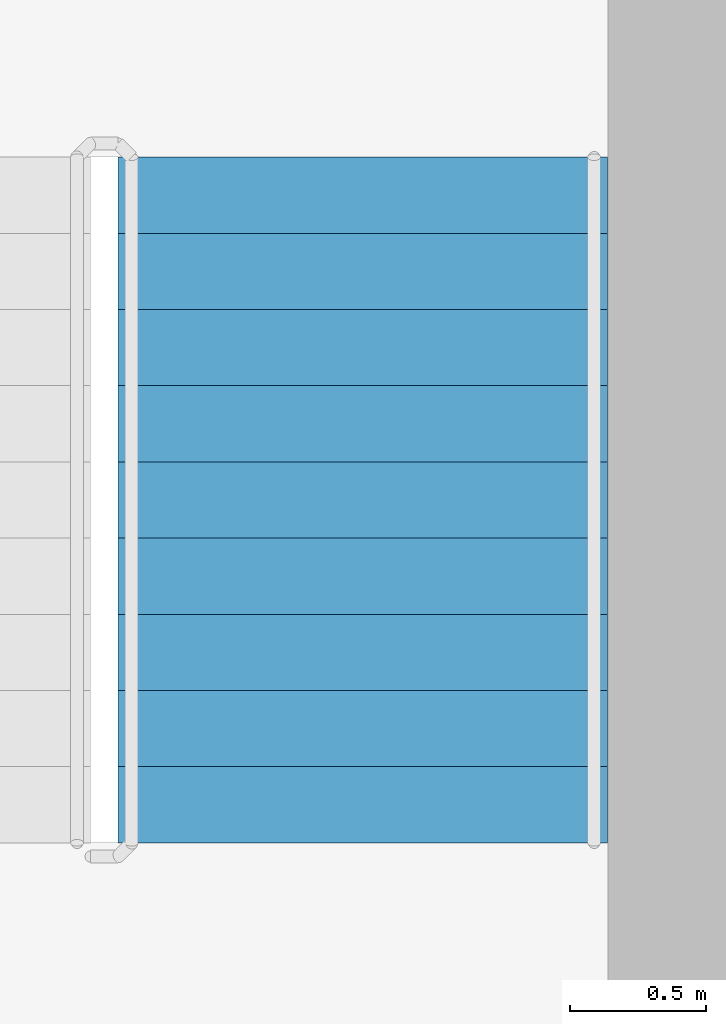
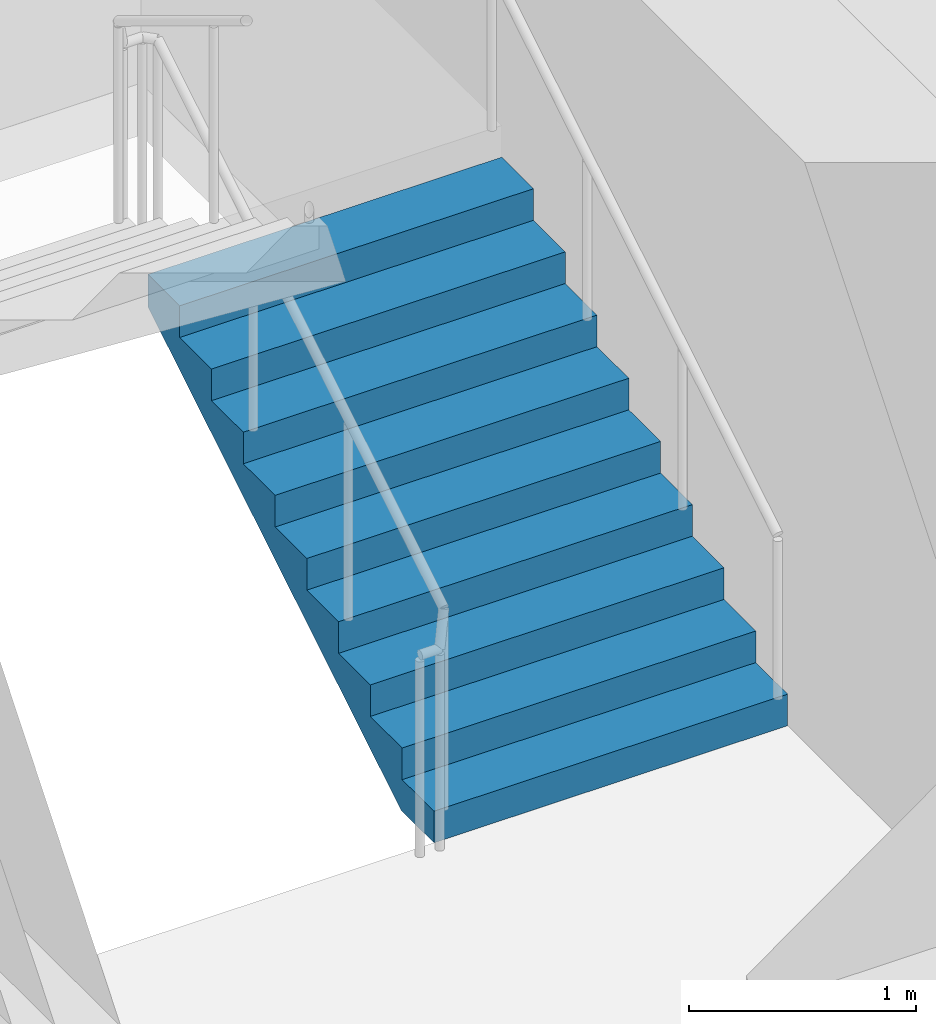
# One storey, part 11 of 19: 1 stair flight, 1 element without a shape of its own.
"""IFC4 building model written with IfcOpenShell, lengths in metres."""

from ifc_helpers import new_model, si_unit, direction, frame, origin, place, context, subcontext, project, spatial, triangles, source, transform, mapped, material, type_object, element, aggregate, save


model = new_model("IFC4")

# Units and contexts
model_context = context("Model", 3, precision=1e-05, world=origin(), true_north=direction((0.0, 1.0)))
body_context = subcontext(model_context, "Body", "Model", "MODEL_VIEW")
ifc_project = project(units=[si_unit("LENGTHUNIT", "METRE"), si_unit("AREAUNIT", "SQUARE_METRE"), si_unit("VOLUMEUNIT", "CUBIC_METRE"), si_unit("PLANEANGLEUNIT", "RADIAN"), si_unit("MASSUNIT", "GRAM", prefix="KILO")], contexts=[model_context])

# Site, building, storey
site_placement = place(None, origin())
site = spatial("IfcSite", under=ifc_project, at=site_placement, CompositionType="ELEMENT")
building_placement = place(site_placement, origin())
building = spatial("IfcBuilding", under=site, at=building_placement, Name="Kilnfold Tower and Market Hall", CompositionType="ELEMENT")
storey_placement = place(building_placement, frame((0.0, 0.0, 245.800048828125)))
storey = spatial("IfcBuildingStorey", under=building, at=storey_placement, Name="L59", CompositionType="ELEMENT", Elevation=245.800048828125)

# Stair, stair flight
ifc_material_1 = material(Name="Concrete C40/50", Category="concrete")
stair_type = type_object("IfcStairType", Name="CORE STAIR 1800", PredefinedType="HALF_TURN_STAIR", material=ifc_material_1)
stair_placement = place(storey_placement, origin())
stair = element("IfcStair", 1, at=stair_placement, inside=storey, type_object=stair_type, Name="L59 ST2", PredefinedType="HALF_TURN_STAIR")
ifc_material_2 = material(Name="Concrete C40/50", Category="concrete")
stair_flight_type = type_object("IfcStairFlightType", Name="CORE STAIR FLIGHT 1800", PredefinedType="STRAIGHT", material=ifc_material_2)
shared_shape = source(origin(), body_context, "Body", "Tessellation", [
    triangles([(0.0, 0.89990234375, 0.0), (0.0, 0.78759765625, 0.0), (0.0, 0.675048828125, 0.0), (0.0, 0.5625, 0.0), (0.0, 0.449951171875, 0.0), (0.0, 0.33740234375, 0.0), (0.0, 0.22509765625, 0.0), (0.0, 0.112548828125, 0.0), (0.0, 0.0, 0.0), (0.0, -0.112548828125, 0.0), (0.0, -0.22509765625, 0.0), (0.0, -0.33740234375, 0.0), (0.0, -0.449951171875, 0.0), (0.0, -0.5625, 0.0), (0.0, -0.675048828125, 0.0), (0.0, -0.78759765625, 0.0), (0.0, -0.89990234375, 0.0), (0.0, 0.89990234375, 0.169921875), (0.0, 0.78759765625, 0.169921875), (0.0, 0.675048828125, 0.169921875), (0.0, 0.5625, 0.169921875), (0.0, 0.449951171875, 0.169921875), (0.0, 0.33740234375, 0.169921875), (0.0, 0.22509765625, 0.169921875), (0.0, 0.112548828125, 0.169921875), (0.0, 0.0, 0.169921875), (0.0, -0.112548828125, 0.169921875), (0.0, -0.22509765625, 0.169921875), (0.0, -0.33740234375, 0.169921875), (0.0, -0.449951171875, 0.169921875), (0.0, -0.5625, 0.169921875), (0.0, -0.675048828125, 0.169921875), (0.0, -0.78759765625, 0.169921875), (0.0, -0.89990234375, 0.169921875), (0.280029296875, 0.89990234375, 0.169921875), (0.280029296875, 0.78759765625, 0.169921875), (0.280029296875, 0.675048828125, 0.169921875), (0.280029296875, 0.5625, 0.169921875), (0.280029296875, 0.449951171875, 0.169921875), (0.280029296875, 0.33740234375, 0.169921875), (0.280029296875, 0.22509765625, 0.169921875), (0.280029296875, 0.112548828125, 0.169921875), (0.280029296875, 0.0, 0.169921875), (0.280029296875, -0.112548828125, 0.169921875), (0.280029296875, -0.22509765625, 0.169921875), (0.280029296875, -0.33740234375, 0.169921875), (0.280029296875, -0.449951171875, 0.169921875), (0.280029296875, -0.5625, 0.169921875), (0.280029296875, -0.675048828125, 0.169921875), (0.280029296875, -0.78759765625, 0.169921875), (0.280029296875, -0.89990234375, 0.169921875), (0.280029296875, 0.89990234375, 0.340087890625), (0.280029296875, 0.78759765625, 0.340087890625), (0.280029296875, 0.675048828125, 0.340087890625), (0.280029296875, 0.5625, 0.340087890625), (0.280029296875, 0.449951171875, 0.340087890625), (0.280029296875, 0.33740234375, 0.340087890625), (0.280029296875, 0.22509765625, 0.340087890625), (0.280029296875, 0.112548828125, 0.340087890625), (0.280029296875, 0.0, 0.340087890625), (0.280029296875, -0.112548828125, 0.340087890625), (0.280029296875, -0.22509765625, 0.340087890625), (0.280029296875, -0.33740234375, 0.340087890625), (0.280029296875, -0.449951171875, 0.340087890625), (0.280029296875, -0.5625, 0.340087890625), (0.280029296875, -0.675048828125, 0.340087890625), (0.280029296875, -0.78759765625, 0.340087890625), (0.280029296875, -0.89990234375, 0.340087890625), (0.56005859375, 0.89990234375, 0.340087890625), (0.56005859375, 0.78759765625, 0.340087890625), (0.56005859375, 0.675048828125, 0.340087890625), (0.56005859375, 0.5625, 0.340087890625), (0.56005859375, 0.449951171875, 0.340087890625), (0.56005859375, 0.33740234375, 0.340087890625), (0.56005859375, 0.22509765625, 0.340087890625), (0.56005859375, 0.112548828125, 0.340087890625), (0.56005859375, 0.0, 0.340087890625), (0.56005859375, -0.112548828125, 0.340087890625), (0.56005859375, -0.22509765625, 0.340087890625), (0.56005859375, -0.33740234375, 0.340087890625), (0.56005859375, -0.449951171875, 0.340087890625), (0.56005859375, -0.5625, 0.340087890625), (0.56005859375, -0.675048828125, 0.340087890625), (0.56005859375, -0.78759765625, 0.340087890625), (0.56005859375, -0.89990234375, 0.340087890625), (0.56005859375, 0.89990234375, 0.510009765625), (0.56005859375, 0.78759765625, 0.510009765625), (0.56005859375, 0.675048828125, 0.510009765625), (0.56005859375, 0.5625, 0.510009765625), (0.56005859375, 0.449951171875, 0.510009765625), (0.56005859375, 0.33740234375, 0.510009765625), (0.56005859375, 0.22509765625, 0.510009765625), (0.56005859375, 0.112548828125, 0.510009765625), (0.56005859375, 0.0, 0.510009765625), (0.56005859375, -0.112548828125, 0.510009765625), (0.56005859375, -0.22509765625, 0.510009765625), (0.56005859375, -0.33740234375, 0.510009765625), (0.56005859375, -0.449951171875, 0.510009765625), (0.56005859375, -0.5625, 0.510009765625), (0.56005859375, -0.675048828125, 0.510009765625), (0.56005859375, -0.78759765625, 0.510009765625), (0.56005859375, -0.89990234375, 0.510009765625), (0.840087890625, 0.89990234375, 0.510009765625), (0.840087890625, 0.78759765625, 0.510009765625), (0.840087890625, 0.675048828125, 0.510009765625), (0.840087890625, 0.5625, 0.510009765625), (0.840087890625, 0.449951171875, 0.510009765625), (0.840087890625, 0.33740234375, 0.510009765625), (0.840087890625, 0.22509765625, 0.510009765625), (0.840087890625, 0.112548828125, 0.510009765625), (0.840087890625, 0.0, 0.510009765625), (0.840087890625, -0.112548828125, 0.510009765625), (0.840087890625, -0.22509765625, 0.510009765625), (0.840087890625, -0.33740234375, 0.510009765625), (0.840087890625, -0.449951171875, 0.510009765625), (0.840087890625, -0.5625, 0.510009765625), (0.840087890625, -0.675048828125, 0.510009765625), (0.840087890625, -0.78759765625, 0.510009765625), (0.840087890625, -0.89990234375, 0.510009765625), (0.840087890625, 0.89990234375, 0.679931640625), (0.840087890625, 0.78759765625, 0.679931640625), (0.840087890625, 0.675048828125, 0.679931640625), (0.840087890625, 0.5625, 0.679931640625), (0.840087890625, 0.449951171875, 0.679931640625), (0.840087890625, 0.33740234375, 0.679931640625), (0.840087890625, 0.22509765625, 0.679931640625), (0.840087890625, 0.112548828125, 0.679931640625), (0.840087890625, 0.0, 0.679931640625), (0.840087890625, -0.112548828125, 0.679931640625), (0.840087890625, -0.22509765625, 0.679931640625), (0.840087890625, -0.33740234375, 0.679931640625), (0.840087890625, -0.449951171875, 0.679931640625), (0.840087890625, -0.5625, 0.679931640625), (0.840087890625, -0.675048828125, 0.679931640625), (0.840087890625, -0.78759765625, 0.679931640625), (0.840087890625, -0.89990234375, 0.679931640625), (1.1201171875, 0.89990234375, 0.679931640625), (1.1201171875, 0.78759765625, 0.679931640625), (1.1201171875, 0.675048828125, 0.679931640625), (1.1201171875, 0.5625, 0.679931640625), (1.1201171875, 0.449951171875, 0.679931640625), (1.1201171875, 0.33740234375, 0.679931640625), (1.1201171875, 0.22509765625, 0.679931640625), (1.1201171875, 0.112548828125, 0.679931640625), (1.1201171875, 0.0, 0.679931640625), (1.1201171875, -0.112548828125, 0.679931640625), (1.1201171875, -0.22509765625, 0.679931640625), (1.1201171875, -0.33740234375, 0.679931640625), (1.1201171875, -0.449951171875, 0.679931640625), (1.1201171875, -0.5625, 0.679931640625), (1.1201171875, -0.675048828125, 0.679931640625), (1.1201171875, -0.78759765625, 0.679931640625), (1.1201171875, -0.89990234375, 0.679931640625), (1.1201171875, 0.89990234375, 0.85009765625), (1.1201171875, 0.78759765625, 0.85009765625), (1.1201171875, 0.675048828125, 0.85009765625), (1.1201171875, 0.5625, 0.85009765625), (1.1201171875, 0.449951171875, 0.85009765625), (1.1201171875, 0.33740234375, 0.85009765625), (1.1201171875, 0.22509765625, 0.85009765625), (1.1201171875, 0.112548828125, 0.85009765625), (1.1201171875, 0.0, 0.85009765625), (1.1201171875, -0.112548828125, 0.85009765625), (1.1201171875, -0.22509765625, 0.85009765625), (1.1201171875, -0.33740234375, 0.85009765625), (1.1201171875, -0.449951171875, 0.85009765625), (1.1201171875, -0.5625, 0.85009765625), (1.1201171875, -0.675048828125, 0.85009765625), (1.1201171875, -0.78759765625, 0.85009765625), (1.1201171875, -0.89990234375, 0.85009765625), (1.39990234375, 0.89990234375, 0.85009765625), (1.39990234375, 0.78759765625, 0.85009765625), (1.39990234375, 0.675048828125, 0.85009765625), (1.39990234375, 0.5625, 0.85009765625), (1.39990234375, 0.449951171875, 0.85009765625), (1.39990234375, 0.33740234375, 0.85009765625), (1.39990234375, 0.22509765625, 0.85009765625), (1.39990234375, 0.112548828125, 0.85009765625), (1.39990234375, 0.0, 0.85009765625), (1.39990234375, -0.112548828125, 0.85009765625), (1.39990234375, -0.22509765625, 0.85009765625), (1.39990234375, -0.33740234375, 0.85009765625), (1.39990234375, -0.449951171875, 0.85009765625), (1.39990234375, -0.5625, 0.85009765625), (1.39990234375, -0.675048828125, 0.85009765625), (1.39990234375, -0.78759765625, 0.85009765625), (1.39990234375, -0.89990234375, 0.85009765625), (1.39990234375, 0.89990234375, 1.02001953125), (1.39990234375, 0.78759765625, 1.02001953125), (1.39990234375, 0.675048828125, 1.02001953125), (1.39990234375, 0.5625, 1.02001953125), (1.39990234375, 0.449951171875, 1.02001953125), (1.39990234375, 0.33740234375, 1.02001953125), (1.39990234375, 0.22509765625, 1.02001953125), (1.39990234375, 0.112548828125, 1.02001953125), (1.39990234375, 0.0, 1.02001953125), (1.39990234375, -0.112548828125, 1.02001953125), (1.39990234375, -0.22509765625, 1.02001953125), (1.39990234375, -0.33740234375, 1.02001953125), (1.39990234375, -0.449951171875, 1.02001953125), (1.39990234375, -0.5625, 1.02001953125), (1.39990234375, -0.675048828125, 1.02001953125), (1.39990234375, -0.78759765625, 1.02001953125), (1.39990234375, -0.89990234375, 1.02001953125), (1.679931640625, 0.89990234375, 1.02001953125), (1.679931640625, 0.78759765625, 1.02001953125), (1.679931640625, 0.675048828125, 1.02001953125), (1.679931640625, 0.5625, 1.02001953125), (1.679931640625, 0.449951171875, 1.02001953125), (1.679931640625, 0.33740234375, 1.02001953125), (1.679931640625, 0.22509765625, 1.02001953125), (1.679931640625, 0.112548828125, 1.02001953125), (1.679931640625, 0.0, 1.02001953125), (1.679931640625, -0.112548828125, 1.02001953125), (1.679931640625, -0.22509765625, 1.02001953125), (1.679931640625, -0.33740234375, 1.02001953125), (1.679931640625, -0.449951171875, 1.02001953125), (1.679931640625, -0.5625, 1.02001953125), (1.679931640625, -0.675048828125, 1.02001953125), (1.679931640625, -0.78759765625, 1.02001953125), (1.679931640625, -0.89990234375, 1.02001953125), (1.679931640625, 0.89990234375, 1.18994140625), (1.679931640625, 0.78759765625, 1.18994140625), (1.679931640625, 0.675048828125, 1.18994140625), (1.679931640625, 0.5625, 1.18994140625), (1.679931640625, 0.449951171875, 1.18994140625), (1.679931640625, 0.33740234375, 1.18994140625), (1.679931640625, 0.22509765625, 1.18994140625), (1.679931640625, 0.112548828125, 1.18994140625), (1.679931640625, 0.0, 1.18994140625), (1.679931640625, -0.112548828125, 1.18994140625), (1.679931640625, -0.22509765625, 1.18994140625), (1.679931640625, -0.33740234375, 1.18994140625), (1.679931640625, -0.449951171875, 1.18994140625), (1.679931640625, -0.5625, 1.18994140625), (1.679931640625, -0.675048828125, 1.18994140625), (1.679931640625, -0.78759765625, 1.18994140625), (1.679931640625, -0.89990234375, 1.18994140625), (1.9599609375, 0.89990234375, 1.18994140625), (1.9599609375, 0.78759765625, 1.18994140625), (1.9599609375, 0.675048828125, 1.18994140625), (1.9599609375, 0.5625, 1.18994140625), (1.9599609375, 0.449951171875, 1.18994140625), (1.9599609375, 0.33740234375, 1.18994140625), (1.9599609375, 0.22509765625, 1.18994140625), (1.9599609375, 0.112548828125, 1.18994140625), (1.9599609375, 0.0, 1.18994140625), (1.9599609375, -0.112548828125, 1.18994140625), (1.9599609375, -0.22509765625, 1.18994140625), (1.9599609375, -0.33740234375, 1.18994140625), (1.9599609375, -0.449951171875, 1.18994140625), (1.9599609375, -0.5625, 1.18994140625), (1.9599609375, -0.675048828125, 1.18994140625), (1.9599609375, -0.78759765625, 1.18994140625), (1.9599609375, -0.89990234375, 1.18994140625), (1.9599609375, 0.89990234375, 1.360107421875), (1.9599609375, 0.78759765625, 1.360107421875), (1.9599609375, 0.675048828125, 1.360107421875), (1.9599609375, 0.5625, 1.360107421875), (1.9599609375, 0.449951171875, 1.360107421875), (1.9599609375, 0.33740234375, 1.360107421875), (1.9599609375, 0.22509765625, 1.360107421875), (1.9599609375, 0.112548828125, 1.360107421875), (1.9599609375, 0.0, 1.360107421875), (1.9599609375, -0.112548828125, 1.360107421875), (1.9599609375, -0.22509765625, 1.360107421875), (1.9599609375, -0.33740234375, 1.360107421875), (1.9599609375, -0.449951171875, 1.360107421875), (1.9599609375, -0.5625, 1.360107421875), (1.9599609375, -0.675048828125, 1.360107421875), (1.9599609375, -0.78759765625, 1.360107421875), (1.9599609375, -0.89990234375, 1.360107421875), (2.239990234375, 0.89990234375, 1.360107421875), (2.239990234375, 0.78759765625, 1.360107421875), (2.239990234375, 0.675048828125, 1.360107421875), (2.239990234375, 0.5625, 1.360107421875), (2.239990234375, 0.449951171875, 1.360107421875), (2.239990234375, 0.33740234375, 1.360107421875), (2.239990234375, 0.22509765625, 1.360107421875), (2.239990234375, 0.112548828125, 1.360107421875), (2.239990234375, 0.0, 1.360107421875), (2.239990234375, -0.112548828125, 1.360107421875), (2.239990234375, -0.22509765625, 1.360107421875), (2.239990234375, -0.33740234375, 1.360107421875), (2.239990234375, -0.449951171875, 1.360107421875), (2.239990234375, -0.5625, 1.360107421875), (2.239990234375, -0.675048828125, 1.360107421875), (2.239990234375, -0.78759765625, 1.360107421875), (2.239990234375, -0.89990234375, 1.360107421875), (2.239990234375, 0.89990234375, 1.530029296875), (2.239990234375, 0.78759765625, 1.530029296875), (2.239990234375, 0.675048828125, 1.530029296875), (2.239990234375, 0.5625, 1.530029296875), (2.239990234375, 0.449951171875, 1.530029296875), (2.239990234375, 0.33740234375, 1.530029296875), (2.239990234375, 0.22509765625, 1.530029296875), (2.239990234375, 0.112548828125, 1.530029296875), (2.239990234375, 0.0, 1.530029296875), (2.239990234375, -0.112548828125, 1.530029296875), (2.239990234375, -0.22509765625, 1.530029296875), (2.239990234375, -0.33740234375, 1.530029296875), (2.239990234375, -0.449951171875, 1.530029296875), (2.239990234375, -0.5625, 1.530029296875), (2.239990234375, -0.675048828125, 1.530029296875), (2.239990234375, -0.78759765625, 1.530029296875), (2.239990234375, -0.89990234375, 1.530029296875), (2.52001953125, 0.89990234375, 1.530029296875), (2.52001953125, 0.78759765625, 1.530029296875), (2.52001953125, 0.675048828125, 1.530029296875), (2.52001953125, 0.5625, 1.530029296875), (2.52001953125, 0.449951171875, 1.530029296875), (2.52001953125, 0.33740234375, 1.530029296875), (2.52001953125, 0.22509765625, 1.530029296875), (2.52001953125, 0.112548828125, 1.530029296875), (2.52001953125, 0.0, 1.530029296875), (2.52001953125, -0.112548828125, 1.530029296875), (2.52001953125, -0.22509765625, 1.530029296875), (2.52001953125, -0.33740234375, 1.530029296875), (2.52001953125, -0.449951171875, 1.530029296875), (2.52001953125, -0.5625, 1.530029296875), (2.52001953125, -0.675048828125, 1.530029296875), (2.52001953125, -0.78759765625, 1.530029296875), (2.52001953125, -0.89990234375, 1.530029296875), (2.52001953125, 0.89990234375, 1.354736328125), (2.52001953125, 0.78759765625, 1.354736328125), (2.52001953125, 0.675048828125, 1.354736328125), (2.52001953125, 0.5625, 1.354736328125), (2.52001953125, 0.449951171875, 1.354736328125), (2.52001953125, 0.33740234375, 1.354736328125), (2.52001953125, 0.22509765625, 1.354736328125), (2.52001953125, 0.112548828125, 1.354736328125), (2.52001953125, 0.0, 1.354736328125), (2.52001953125, -0.112548828125, 1.354736328125), (2.52001953125, -0.22509765625, 1.354736328125), (2.52001953125, -0.33740234375, 1.354736328125), (2.52001953125, -0.449951171875, 1.354736328125), (2.52001953125, -0.5625, 1.354736328125), (2.52001953125, -0.675048828125, 1.354736328125), (2.52001953125, -0.78759765625, 1.354736328125), (2.52001953125, -0.89990234375, 1.354736328125), (0.288818359375, 0.89990234375, 0.0), (0.288818359375, 0.78759765625, 0.0), (0.288818359375, 0.675048828125, 0.0), (0.288818359375, 0.5625, 0.0), (0.288818359375, 0.449951171875, 0.0), (0.288818359375, 0.33740234375, 0.0), (0.288818359375, 0.22509765625, 0.0), (0.288818359375, 0.112548828125, 0.0), (0.288818359375, 0.0, 0.0), (0.288818359375, -0.112548828125, 0.0), (0.288818359375, -0.22509765625, 0.0), (0.288818359375, -0.33740234375, 0.0), (0.288818359375, -0.449951171875, 0.0), (0.288818359375, -0.5625, 0.0), (0.288818359375, -0.675048828125, 0.0), (0.288818359375, -0.78759765625, 0.0), (0.288818359375, -0.89990234375, 0.0)], [[1, 324, 341], [17, 357, 340], [324, 290, 307], [340, 323, 306], [324, 273, 290], [340, 306, 289], [324, 256, 273], [340, 289, 272], [324, 239, 256], [340, 272, 255], [239, 205, 222], [255, 238, 221], [324, 205, 239], [340, 255, 221], [205, 171, 188], [221, 204, 187], [324, 171, 205], [340, 221, 187], [171, 137, 154], [187, 170, 153], [324, 137, 171], [340, 187, 153], [137, 103, 120], [153, 136, 119], [324, 103, 137], [340, 153, 119], [103, 69, 86], [119, 102, 85], [324, 69, 103], [340, 119, 85], [69, 35, 52], [85, 68, 51], [324, 35, 69], [340, 85, 51], [1, 35, 324], [17, 340, 51], [35, 1, 18], [51, 34, 17], [1, 19, 18], [1, 2, 19], [2, 20, 19], [2, 3, 20], [3, 21, 20], [3, 4, 21], [4, 22, 21], [4, 5, 22], [5, 23, 22], [5, 6, 23], [6, 24, 23], [6, 7, 24], [7, 25, 24], [7, 8, 25], [8, 26, 25], [8, 9, 26], [9, 27, 26], [9, 10, 27], [10, 28, 27], [10, 11, 28], [11, 29, 28], [11, 12, 29], [12, 30, 29], [12, 13, 30], [13, 31, 30], [13, 14, 31], [14, 32, 31], [14, 15, 32], [15, 33, 32], [15, 16, 33], [16, 34, 33], [16, 17, 34], [18, 36, 35], [18, 19, 36], [19, 37, 36], [19, 20, 37], [20, 38, 37], [20, 21, 38], [21, 39, 38], [21, 22, 39], [22, 40, 39], [22, 23, 40], [23, 41, 40], [23, 24, 41], [24, 42, 41], [24, 25, 42], [25, 43, 42], [25, 26, 43], [26, 44, 43], [26, 27, 44], [27, 45, 44], [27, 28, 45], [28, 46, 45], [28, 29, 46], [29, 47, 46], [29, 30, 47], [30, 48, 47], [30, 31, 48], [31, 49, 48], [31, 32, 49], [32, 50, 49], [32, 33, 50], [33, 51, 50], [33, 34, 51], [35, 53, 52], [35, 36, 53], [36, 54, 53], [36, 37, 54], [37, 55, 54], [37, 38, 55], [38, 56, 55], [38, 39, 56], [39, 57, 56], [39, 40, 57], [40, 58, 57], [40, 41, 58], [41, 59, 58], [41, 42, 59], [42, 60, 59], [42, 43, 60], [43, 61, 60], [43, 44, 61], [44, 62, 61], [44, 45, 62], [45, 63, 62], [45, 46, 63], [46, 64, 63], [46, 47, 64], [47, 65, 64], [47, 48, 65], [48, 66, 65], [48, 49, 66], [49, 67, 66], [49, 50, 67], [50, 68, 67], [50, 51, 68], [52, 70, 69], [52, 53, 70], [53, 71, 70], [53, 54, 71], [54, 72, 71], [54, 55, 72], [55, 73, 72], [55, 56, 73], [56, 74, 73], [56, 57, 74], [57, 75, 74], [57, 58, 75], [58, 76, 75], [58, 59, 76], [59, 77, 76], [59, 60, 77], [60, 78, 77], [60, 61, 78], [61, 79, 78], [61, 62, 79], [62, 80, 79], [62, 63, 80], [63, 81, 80], [63, 64, 81], [64, 82, 81], [64, 65, 82], [65, 83, 82], [65, 66, 83], [66, 84, 83], [66, 67, 84], [67, 85, 84], [67, 68, 85], [69, 87, 86], [69, 70, 87], [70, 88, 87], [70, 71, 88], [71, 89, 88], [71, 72, 89], [72, 90, 89], [72, 73, 90], [73, 91, 90], [73, 74, 91], [74, 92, 91], [74, 75, 92], [75, 93, 92], [75, 76, 93], [76, 94, 93], [76, 77, 94], [77, 95, 94], [77, 78, 95], [78, 96, 95], [78, 79, 96], [79, 97, 96], [79, 80, 97], [80, 98, 97], [80, 81, 98], [81, 99, 98], [81, 82, 99], [82, 100, 99], [82, 83, 100], [83, 101, 100], [83, 84, 101], [84, 102, 101], [84, 85, 102], [86, 104, 103], [86, 87, 104], [87, 105, 104], [87, 88, 105], [88, 106, 105], [88, 89, 106], [89, 107, 106], [89, 90, 107], [90, 108, 107], [90, 91, 108], [91, 109, 108], [91, 92, 109], [92, 110, 109], [92, 93, 110], [93, 111, 110], [93, 94, 111], [94, 112, 111], [94, 95, 112], [95, 113, 112], [95, 96, 113], [96, 114, 113], [96, 97, 114], [97, 115, 114], [97, 98, 115], [98, 116, 115], [98, 99, 116], [99, 117, 116], [99, 100, 117], [100, 118, 117], [100, 101, 118], [101, 119, 118], [101, 102, 119], [103, 121, 120], [103, 104, 121], [104, 122, 121], [104, 105, 122], [105, 123, 122], [105, 106, 123], [106, 124, 123], [106, 107, 124], [107, 125, 124], [107, 108, 125], [108, 126, 125], [108, 109, 126], [109, 127, 126], [109, 110, 127], [110, 128, 127], [110, 111, 128], [111, 129, 128], [111, 112, 129], [112, 130, 129], [112, 113, 130], [113, 131, 130], [113, 114, 131], [114, 132, 131], [114, 115, 132], [115, 133, 132], [115, 116, 133], [116, 134, 133], [116, 117, 134], [117, 135, 134], [117, 118, 135], [118, 136, 135], [118, 119, 136], [120, 138, 137], [120, 121, 138], [121, 139, 138], [121, 122, 139], [122, 140, 139], [122, 123, 140], [123, 141, 140], [123, 124, 141], [124, 142, 141], [124, 125, 142], [125, 143, 142], [125, 126, 143], [126, 144, 143], [126, 127, 144], [127, 145, 144], [127, 128, 145], [128, 146, 145], [128, 129, 146], [129, 147, 146], [129, 130, 147], [130, 148, 147], [130, 131, 148], [131, 149, 148], [131, 132, 149], [132, 150, 149], [132, 133, 150], [133, 151, 150], [133, 134, 151], [134, 152, 151], [134, 135, 152], [135, 153, 152], [135, 136, 153], [137, 155, 154], [137, 138, 155], [138, 156, 155], [138, 139, 156], [139, 157, 156], [139, 140, 157], [140, 158, 157], [140, 141, 158], [141, 159, 158], [141, 142, 159], [142, 160, 159], [142, 143, 160], [143, 161, 160], [143, 144, 161], [144, 162, 161], [144, 145, 162], [145, 163, 162], [145, 146, 163], [146, 164, 163], [146, 147, 164], [147, 165, 164], [147, 148, 165], [148, 166, 165], [148, 149, 166], [149, 167, 166], [149, 150, 167], [150, 168, 167], [150, 151, 168], [151, 169, 168], [151, 152, 169], [152, 170, 169], [152, 153, 170], [154, 172, 171], [154, 155, 172], [155, 173, 172], [155, 156, 173], [156, 174, 173], [156, 157, 174], [157, 175, 174], [157, 158, 175], [158, 176, 175], [158, 159, 176], [159, 177, 176], [159, 160, 177], [160, 178, 177], [160, 161, 178], [161, 179, 178], [161, 162, 179], [162, 180, 179], [162, 163, 180], [163, 181, 180], [163, 164, 181], [164, 182, 181], [164, 165, 182], [165, 183, 182], [165, 166, 183], [166, 184, 183], [166, 167, 184], [167, 185, 184], [167, 168, 185], [168, 186, 185], [168, 169, 186], [169, 187, 186], [169, 170, 187], [171, 189, 188], [171, 172, 189], [172, 190, 189], [172, 173, 190], [173, 191, 190], [173, 174, 191], [174, 192, 191], [174, 175, 192], [175, 193, 192], [175, 176, 193], [176, 194, 193], [176, 177, 194], [177, 195, 194], [177, 178, 195], [178, 196, 195], [178, 179, 196], [179, 197, 196], [179, 180, 197], [180, 198, 197], [180, 181, 198], [181, 199, 198], [181, 182, 199], [182, 200, 199], [182, 183, 200], [183, 201, 200], [183, 184, 201], [184, 202, 201], [184, 185, 202], [185, 203, 202], [185, 186, 203], [186, 204, 203], [186, 187, 204], [188, 206, 205], [188, 189, 206], [189, 207, 206], [189, 190, 207], [190, 208, 207], [190, 191, 208], [191, 209, 208], [191, 192, 209], [192, 210, 209], [192, 193, 210], [193, 211, 210], [193, 194, 211], [194, 212, 211], [194, 195, 212], [195, 213, 212], [195, 196, 213], [196, 214, 213], [196, 197, 214], [197, 215, 214], [197, 198, 215], [198, 216, 215], [198, 199, 216], [199, 217, 216], [199, 200, 217], [200, 218, 217], [200, 201, 218], [201, 219, 218], [201, 202, 219], [202, 220, 219], [202, 203, 220], [203, 221, 220], [203, 204, 221], [205, 223, 222], [205, 206, 223], [206, 224, 223], [206, 207, 224], [207, 225, 224], [207, 208, 225], [208, 226, 225], [208, 209, 226], [209, 227, 226], [209, 210, 227], [210, 228, 227], [210, 211, 228], [211, 229, 228], [211, 212, 229], [212, 230, 229], [212, 213, 230], [213, 231, 230], [213, 214, 231], [214, 232, 231], [214, 215, 232], [215, 233, 232], [215, 216, 233], [216, 234, 233], [216, 217, 234], [217, 235, 234], [217, 218, 235], [218, 236, 235], [218, 219, 236], [219, 237, 236], [219, 220, 237], [220, 238, 237], [220, 221, 238], [222, 240, 239], [222, 223, 240], [223, 241, 240], [223, 224, 241], [224, 242, 241], [224, 225, 242], [225, 243, 242], [225, 226, 243], [226, 244, 243], [226, 227, 244], [227, 245, 244], [227, 228, 245], [228, 246, 245], [228, 229, 246], [229, 247, 246], [229, 230, 247], [230, 248, 247], [230, 231, 248], [231, 249, 248], [231, 232, 249], [232, 250, 249], [232, 233, 250], [233, 251, 250], [233, 234, 251], [234, 252, 251], [234, 235, 252], [235, 253, 252], [235, 236, 253], [236, 254, 253], [236, 237, 254], [237, 255, 254], [237, 238, 255], [239, 257, 256], [239, 240, 257], [240, 258, 257], [240, 241, 258], [241, 259, 258], [241, 242, 259], [242, 260, 259], [242, 243, 260], [243, 261, 260], [243, 244, 261], [244, 262, 261], [244, 245, 262], [245, 263, 262], [245, 246, 263], [246, 264, 263], [246, 247, 264], [247, 265, 264], [247, 248, 265], [248, 266, 265], [248, 249, 266], [249, 267, 266], [249, 250, 267], [250, 268, 267], [250, 251, 268], [251, 269, 268], [251, 252, 269], [252, 270, 269], [252, 253, 270], [253, 271, 270], [253, 254, 271], [254, 272, 271], [254, 255, 272], [256, 274, 273], [256, 257, 274], [257, 275, 274], [257, 258, 275], [258, 276, 275], [258, 259, 276], [259, 277, 276], [259, 260, 277], [260, 278, 277], [260, 261, 278], [261, 279, 278], [261, 262, 279], [262, 280, 279], [262, 263, 280], [263, 281, 280], [263, 264, 281], [264, 282, 281], [264, 265, 282], [265, 283, 282], [265, 266, 283], [266, 284, 283], [266, 267, 284], [267, 285, 284], [267, 268, 285], [268, 286, 285], [268, 269, 286], [269, 287, 286], [269, 270, 287], [270, 288, 287], [270, 271, 288], [271, 289, 288], [271, 272, 289], [273, 291, 290], [273, 274, 291], [274, 292, 291], [274, 275, 292], [275, 293, 292], [275, 276, 293], [276, 294, 293], [276, 277, 294], [277, 295, 294], [277, 278, 295], [278, 296, 295], [278, 279, 296], [279, 297, 296], [279, 280, 297], [280, 298, 297], [280, 281, 298], [281, 299, 298], [281, 282, 299], [282, 300, 299], [282, 283, 300], [283, 301, 300], [283, 284, 301], [284, 302, 301], [284, 285, 302], [285, 303, 302], [285, 286, 303], [286, 304, 303], [286, 287, 304], [287, 305, 304], [287, 288, 305], [288, 306, 305], [288, 289, 306], [290, 308, 307], [290, 291, 308], [291, 309, 308], [291, 292, 309], [292, 310, 309], [292, 293, 310], [293, 311, 310], [293, 294, 311], [294, 312, 311], [294, 295, 312], [295, 313, 312], [295, 296, 313], [296, 314, 313], [296, 297, 314], [297, 315, 314], [297, 298, 315], [298, 316, 315], [298, 299, 316], [299, 317, 316], [299, 300, 317], [300, 318, 317], [300, 301, 318], [301, 319, 318], [301, 302, 319], [302, 320, 319], [302, 303, 320], [303, 321, 320], [303, 304, 321], [304, 322, 321], [304, 305, 322], [305, 323, 322], [305, 306, 323], [307, 325, 324], [307, 308, 325], [308, 326, 325], [308, 309, 326], [309, 327, 326], [309, 310, 327], [310, 328, 327], [310, 311, 328], [311, 329, 328], [311, 312, 329], [312, 330, 329], [312, 313, 330], [313, 331, 330], [313, 314, 331], [314, 332, 331], [314, 315, 332], [315, 333, 332], [315, 316, 333], [316, 334, 333], [316, 317, 334], [317, 335, 334], [317, 318, 335], [318, 336, 335], [318, 319, 336], [319, 337, 336], [319, 320, 337], [320, 338, 337], [320, 321, 338], [321, 339, 338], [321, 322, 339], [322, 340, 339], [322, 323, 340], [324, 342, 341], [324, 325, 342], [325, 343, 342], [325, 326, 343], [326, 344, 343], [326, 327, 344], [327, 345, 344], [327, 328, 345], [328, 346, 345], [328, 329, 346], [329, 347, 346], [329, 330, 347], [330, 348, 347], [330, 331, 348], [331, 349, 348], [331, 332, 349], [332, 350, 349], [332, 333, 350], [333, 351, 350], [333, 334, 351], [334, 352, 351], [334, 335, 352], [335, 353, 352], [335, 336, 353], [336, 354, 353], [336, 337, 354], [337, 355, 354], [337, 338, 355], [338, 356, 355], [338, 339, 356], [339, 357, 356], [339, 340, 357], [341, 2, 1], [341, 342, 2], [342, 3, 2], [342, 343, 3], [343, 4, 3], [343, 344, 4], [344, 5, 4], [344, 345, 5], [345, 6, 5], [345, 346, 6], [346, 7, 6], [346, 347, 7], [347, 8, 7], [347, 348, 8], [348, 9, 8], [348, 349, 9], [349, 10, 9], [349, 350, 10], [350, 11, 10], [350, 351, 11], [351, 12, 11], [351, 352, 12], [352, 13, 12], [352, 353, 13], [353, 14, 13], [353, 354, 14], [354, 15, 14], [354, 355, 15], [355, 16, 15], [355, 356, 16], [356, 17, 16], [356, 357, 17]], closed=True),
])
stair_flight_placement = place(storey_placement, frame((16.199951171875, 10.800048828125, 0.0), z_axis=(0.0, 0.0, 1.0), x_axis=(0.0, 1.0, 0.0)))
stair_flight = element("IfcStairFlight", 2, at=stair_flight_placement, type_object=stair_flight_type, Name="ST2 flight 1", NumberOfRisers=10, NumberOfTreads=9, PredefinedType="STRAIGHT", RiserHeight=0.17, TreadLength=0.28, context=body_context, shape_type="MappedRepresentation", body=[
    mapped(shared_shape, transform((0.0, 0.0, 0.0))),
])
aggregate(stair, [stair_flight])

save(model, "model.ifc")
